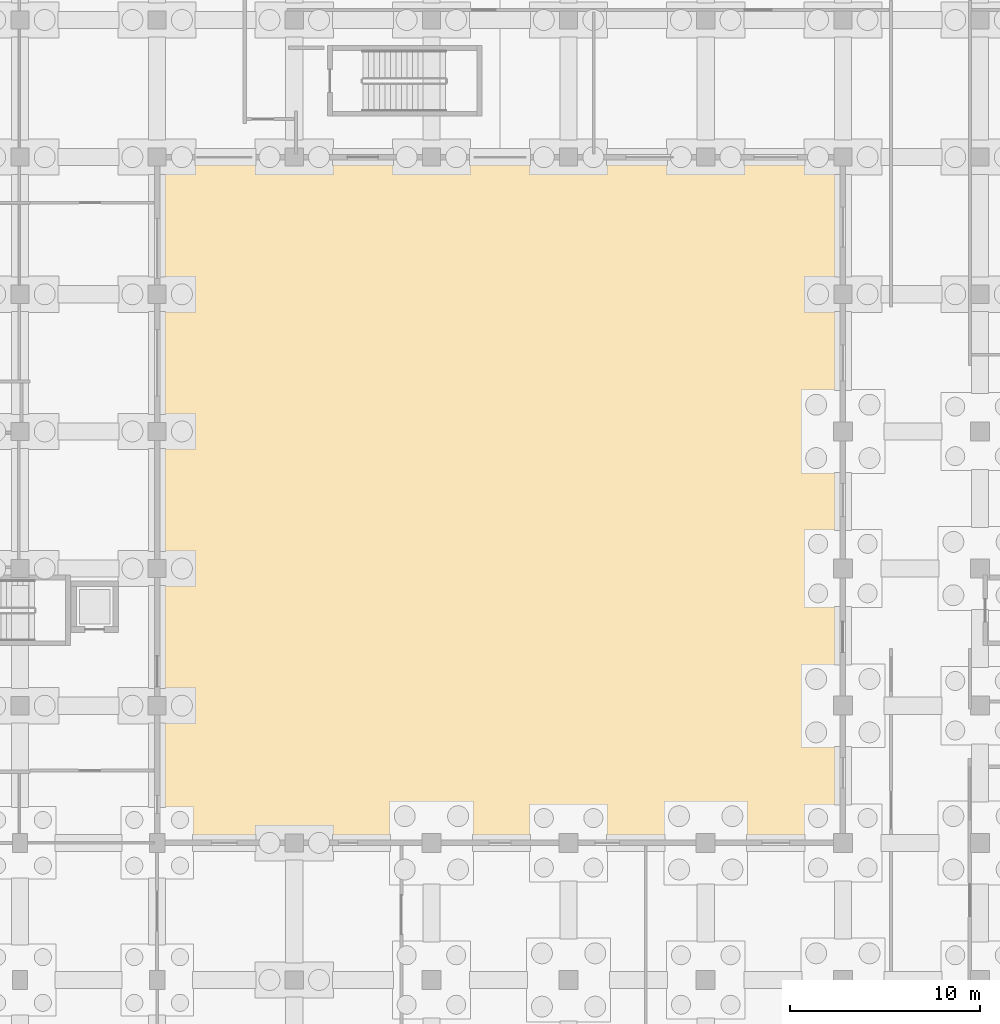
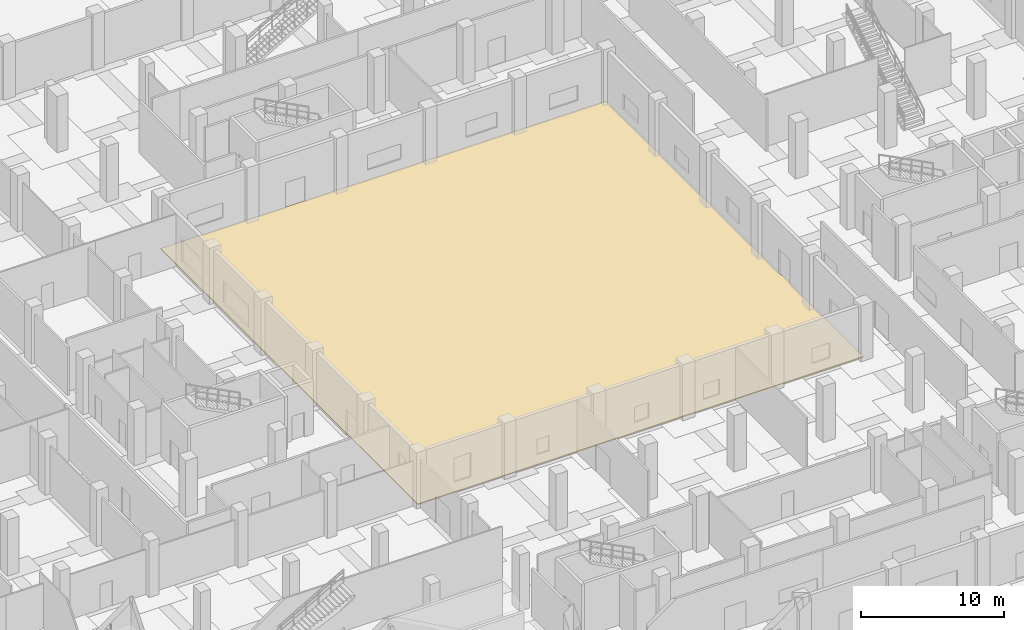
# One storey, part 40 of 48: 1 covering.
"""IFC4 building model written with IfcOpenShell, lengths in metres."""

from ifc_helpers import new_model, si_unit, direction, frame, origin, place, context, subcontext, project, spatial, polyline, outline, extrude, material, layer, layer_set, type_object, element, save


model = new_model("IFC4")

# Units and contexts
model_context = context("Model", 3, precision=1e-05, world=origin(), true_north=direction((0.0, 1.0)))
body_context = subcontext(model_context, "Body", "Model", "MODEL_VIEW")
ifc_project = project(units=[si_unit("LENGTHUNIT", "METRE"), si_unit("AREAUNIT", "SQUARE_METRE"), si_unit("VOLUMEUNIT", "CUBIC_METRE"), si_unit("PLANEANGLEUNIT", "RADIAN"), si_unit("MASSUNIT", "GRAM", prefix="KILO")], contexts=[model_context])

# Site, building, storey
site_placement = place(None, origin())
site = spatial("IfcSite", under=ifc_project, at=site_placement, CompositionType="ELEMENT")
building_placement = place(site_placement, origin())
building = spatial("IfcBuilding", under=site, at=building_placement, Name="Seraya Terrace Polytechnic", CompositionType="ELEMENT")
storey_placement = place(building_placement, origin())
storey = spatial("IfcBuildingStorey", under=building, at=storey_placement, Name="L00", CompositionType="ELEMENT", Elevation=0.0)

# Covering
ifc_material = material(Name="Permeable architectural concrete stone paver", Category="masonry")
ifc_layer = layer(ifc_material, 0.080078125, Name="PV-01")
ifc_layer_set = layer_set([ifc_layer], Name="Permeable architectural concrete stone paver")
covering_type = type_object("IfcCoveringType", Name="PV-01", PredefinedType="USERDEFINED", material=ifc_layer_set)
covering_placement = place(storey_placement, frame((0.0, 0.0, -0.080078125)))
element("IfcCovering", 1, at=covering_placement, inside=storey, type_object=covering_type, Name="Campus pedestrian, courtyard and Bomba hardstanding paving 2", ObjectType="PAVING", PredefinedType="USERDEFINED", context=body_context, shape_type="SweptSolid", body=[
    extrude(outline(polyline([(79.199951171875, 64.800048828125), (79.199951171875, 28.800048828125), (43.199951171875, 28.800048828125), (43.199951171875, 64.800048828125), (79.199951171875, 64.800048828125)])), origin(), (0.0, 0.0, 1.0), 0.080078125),
])

save(model, "model.ifc")
